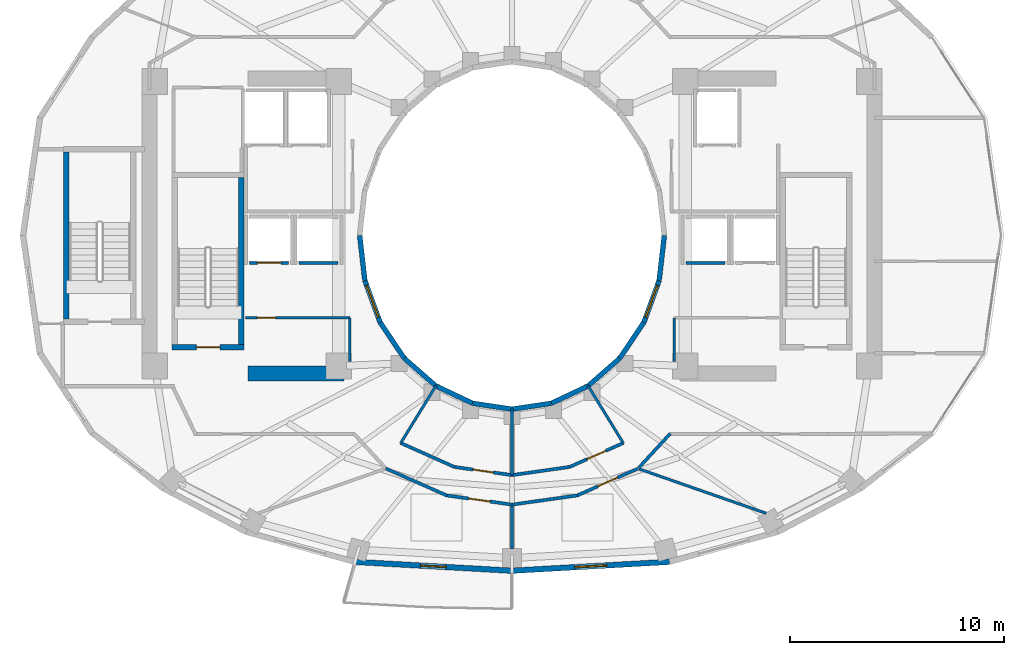
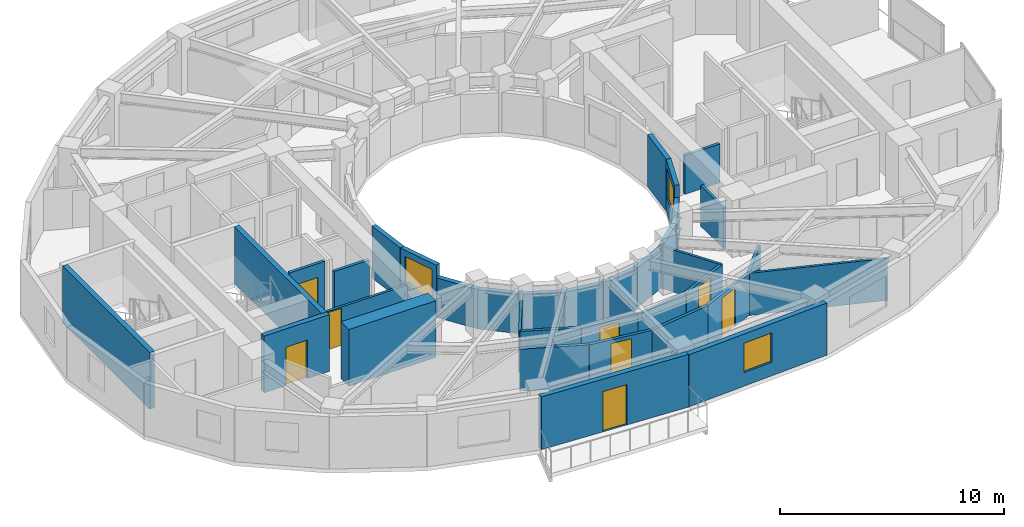
# One storey, part 6 of 13: 38 walls, 8 doors, 3 windows, 11 openings.
"""IFC4 building model written with IfcOpenShell, lengths in metres."""

from ifc_helpers import new_model, si_unit, direction, frame, frame_2d, origin, place, context, subcontext, project, spatial, rectangle, extrude, material, layer, layer_set, type_object, element, fill, save


model = new_model("IFC4")

# Units and contexts
model_context = context("Model", 3, precision=1e-05, world=origin(), true_north=direction((0.0, 1.0)))
body_context = subcontext(model_context, "Body", "Model", "MODEL_VIEW")
ifc_project = project(units=[si_unit("LENGTHUNIT", "METRE"), si_unit("AREAUNIT", "SQUARE_METRE"), si_unit("VOLUMEUNIT", "CUBIC_METRE"), si_unit("PLANEANGLEUNIT", "RADIAN"), si_unit("MASSUNIT", "GRAM", prefix="KILO")], contexts=[model_context])

# Site, building, storey
site_placement = place(None, origin())
site = spatial("IfcSite", under=ifc_project, at=site_placement, CompositionType="ELEMENT")
building_placement = place(site_placement, origin())
building = spatial("IfcBuilding", under=site, at=building_placement, Name="Solvane Sanctuary Tower", CompositionType="ELEMENT")
storey_placement = place(building_placement, frame((0.0, 0.0, 156.0)))
storey = spatial("IfcBuildingStorey", under=building, at=storey_placement, Name="L47", CompositionType="ELEMENT", Elevation=156.0)

# Walls
ifc_material_1 = material(Name="Concrete C60/75", Category="concrete")
ifc_layer_1 = layer(ifc_material_1, 0.699951171875, Name="Concrete C60/75")
ifc_layer_set_1 = layer_set([ifc_layer_1], Name="Concrete C60/75")
wall_type_1 = type_object("IfcWallType", Name="Wall W-CORE-700", PredefinedType="SHEAR", material=ifc_layer_set_1)
wall_1_placement = place(storey_placement, frame((19.64990234375, 16.550048828125, 0.0), z_axis=(0.0, 0.0, 1.0), x_axis=(1.0, 0.0, 0.0)))
element("IfcWall", 1, at=wall_1_placement, inside=storey, type_object=wall_type_1, Name="L47 Core Shear Wall WC-S", PredefinedType="SHEAR", context=body_context, shape_type="SweptSolid", body=[
    extrude(rectangle(XDim=4.5, YDim=0.699951171875, at=frame_2d((2.25, 0.0))), origin(), (0.0, 0.0, 1.0), 3.10009765625),
])
ifc_material_2 = material(Name="Acoustic Gypsum Partition Board")
ifc_layer_2 = layer(ifc_material_2, 0.14990234375, Name="Acoustic Gypsum Partition Board")
ifc_layer_set_2 = layer_set([ifc_layer_2], Name="Acoustic Gypsum Partition Board")
wall_type_2 = type_object("IfcWallType", Name="Wall W-CORR-150", PredefinedType="PARTITIONING", material=ifc_layer_set_2)
wall_2_placement = place(storey_placement, frame((37.92822265625, 12.144287109375, 0.0), z_axis=(0.0, 0.0, 1.0), x_axis=(0.677579737957, 0.735449317567, 0.0)))
element("IfcWall", 2, at=wall_2_placement, inside=storey, type_object=wall_type_2, Name="L47 SE Corner Throat Wall", PredefinedType="PARTITIONING", context=body_context, shape_type="SweptSolid", body=[
    extrude(rectangle(XDim=2.172607421875, YDim=0.14990234375, at=frame_2d((1.08642578125, 0.0))), origin(), (0.0, 0.0, 1.0), 2.299072265625),
])
wall_3_placement = place(storey_placement, frame((26.792724609375, 13.302734375, 0.0), z_axis=(0.0, 0.0, 1.0), x_axis=(0.913145536541, -0.407633694749, 0.0)))
element("IfcWall", 3, at=wall_3_placement, inside=storey, type_object=wall_type_2, Name="L47 Inner Light-Well Corridor Wall S1", PredefinedType="PARTITIONING", context=body_context, shape_type="SweptSolid", body=[
    extrude(rectangle(XDim=2.75634765625, YDim=0.14990234375, at=frame_2d((1.378173828125, 0.0))), origin(), (0.0, 0.0, 1.0), 2.299072265625),
])

# Wall, opening, door
wall_4_placement = place(storey_placement, frame((29.305908203125, 12.18017578125, 0.0), z_axis=(0.0, 0.0, 1.0), x_axis=(0.990145400278, -0.140043158738, 0.0)))
wall_4 = element("IfcWall", 4, at=wall_4_placement, inside=storey, type_object=wall_type_2, Name="L47 Inner Light-Well Corridor Wall S1", PredefinedType="PARTITIONING", context=body_context, shape_type="SweptSolid", body=[
    extrude(rectangle(XDim=2.728271484375, YDim=0.14990234375, at=frame_2d((1.3642578125, 0.0))), origin(), (0.0, 0.0, 1.0), 2.299072265625),
])
opening_1_placement = place(wall_4_placement, frame((0.88916015625, 0.0, 0.0)))
opening_1 = element("IfcOpeningElement", 5, at=opening_1_placement, cuts=wall_4, Name="Opening D-L47-20", PredefinedType="OPENING", context=body_context, shape_type="SweptSolid", body=[
    extrude(rectangle(XDim=0.949951171875, YDim=2.10009765625, at=frame_2d((0.47509765625, 1.050048828125))), frame((0.0, 0.0849609375, 0.0), z_axis=(0.0, -1.0, 0.0), x_axis=(1.0, 0.0, 0.0)), (0.0, 0.0, 1.0), 0.169921875),
])
ifc_material_3 = material(Name="Engineered Tropical Hardwood", Category="wood")
door_type_1 = type_object("IfcDoorType", Name="Door D-ROOM-950", OperationType="NOTDEFINED", PredefinedType="DOOR", material=ifc_material_3)
door_1_placement = place(opening_1_placement, origin())
door_1 = element("IfcDoor", 6, at=door_1_placement, inside=storey, type_object=door_type_1, Name="L47 Inner Light-Well Salon Door S1", OperationType="SINGLE_SWING_RIGHT", OverallHeight=2.10009765625, OverallWidth=0.949951171875, PredefinedType="DOOR", context=body_context, shape_type="SweptSolid", body=[
    extrude(rectangle(XDim=0.949951171875, YDim=2.10009765625, at=frame_2d((0.47509765625, 1.050048828125))), frame((0.0, 0.02490234375, 0.0), z_axis=(0.0, -1.0, 0.0), x_axis=(1.0, 0.0, 0.0)), (0.0, 0.0, 1.0), 0.050048828125),
])
fill(opening_1, door_1)

# Wall
wall_5_placement = place(storey_placement, frame((31.99267578125, 11.798095703125, 0.0), z_axis=(0.0, 0.0, 1.0), x_axis=(0.990145400278, 0.140043158738, 0.0)))
element("IfcWall", 7, at=wall_5_placement, inside=storey, type_object=wall_type_2, Name="L47 Inner Light-Well Corridor Wall S2", PredefinedType="PARTITIONING", context=body_context, shape_type="SweptSolid", body=[
    extrude(rectangle(XDim=2.728271484375, YDim=0.14990234375, at=frame_2d((1.3642578125, 0.0))), origin(), (0.0, 0.0, 1.0), 2.299072265625),
])

# Wall, opening, door
wall_6_placement = place(storey_placement, frame((34.6904296875, 12.17919921875, 0.0), z_axis=(0.0, 0.0, 1.0), x_axis=(0.913145536541, 0.407633694749, 0.0)))
wall_6 = element("IfcWall", 8, at=wall_6_placement, inside=storey, type_object=wall_type_2, Name="L47 Inner Light-Well Corridor Wall S2", PredefinedType="PARTITIONING", context=body_context, shape_type="SweptSolid", body=[
    extrude(rectangle(XDim=2.75634765625, YDim=0.14990234375, at=frame_2d((1.378173828125, 0.0))), origin(), (0.0, 0.0, 1.0), 2.299072265625),
])
opening_2_placement = place(wall_6_placement, frame((0.903076171875, 0.0, 0.0)))
opening_2 = element("IfcOpeningElement", 9, at=opening_2_placement, cuts=wall_6, Name="Opening D-L47-21", PredefinedType="OPENING", context=body_context, shape_type="SweptSolid", body=[
    extrude(rectangle(XDim=0.949951171875, YDim=2.10009765625, at=frame_2d((0.47509765625, 1.050048828125))), frame((0.0, 0.0849609375, 0.0), z_axis=(0.0, -1.0, 0.0), x_axis=(1.0, 0.0, 0.0)), (0.0, 0.0, 1.0), 0.169921875),
])
door_2_placement = place(opening_2_placement, origin())
door_2 = element("IfcDoor", 10, at=door_2_placement, inside=storey, type_object=door_type_1, Name="L47 Inner Light-Well Salon Door S2", OperationType="SINGLE_SWING_LEFT", OverallHeight=2.10009765625, OverallWidth=0.949951171875, PredefinedType="DOOR", context=body_context, shape_type="SweptSolid", body=[
    extrude(rectangle(XDim=0.949951171875, YDim=2.10009765625, at=frame_2d((0.47509765625, 1.050048828125))), frame((0.0, 0.02490234375, 0.0), z_axis=(0.0, -1.0, 0.0), x_axis=(1.0, 0.0, 0.0)), (0.0, 0.0, 1.0), 0.050048828125),
])
fill(opening_2, door_2)

# Wall
wall_7_placement = place(storey_placement, frame((26.101806640625, 12.108154296875, 0.0), z_axis=(0.0, 0.0, 1.0), x_axis=(0.914519212393, -0.40454247016, 0.0)))
element("IfcWall", 11, at=wall_7_placement, inside=storey, type_object=wall_type_2, Name="L47 Unit Corridor Wall S1", PredefinedType="PARTITIONING", context=body_context, shape_type="SweptSolid", body=[
    extrude(rectangle(XDim=3.123779296875, YDim=0.14990234375, at=frame_2d((1.56201171875, 0.0))), origin(), (0.0, 0.0, 1.0), 2.299072265625),
])

# Wall, opening, door
wall_8_placement = place(storey_placement, frame((28.942626953125, 10.84912109375, 0.0), z_axis=(0.0, 0.0, 1.0), x_axis=(0.990254709652, -0.13926812274, 0.0)))
wall_8 = element("IfcWall", 12, at=wall_8_placement, inside=storey, type_object=wall_type_2, Name="L47 Unit Corridor Wall S1", PredefinedType="PARTITIONING", context=body_context, shape_type="SweptSolid", body=[
    extrude(rectangle(XDim=3.095947265625, YDim=0.14990234375, at=frame_2d((1.5478515625, 0.0))), origin(), (0.0, 0.0, 1.0), 2.299072265625),
])
opening_3_placement = place(wall_8_placement, frame((1.0478515625, 0.0, 0.0)))
opening_3 = element("IfcOpeningElement", 13, at=opening_3_placement, cuts=wall_8, Name="Opening D-L47-27", PredefinedType="OPENING", context=body_context, shape_type="SweptSolid", body=[
    extrude(rectangle(XDim=1.0, YDim=2.10009765625, at=frame_2d((0.5, 1.050048828125))), frame((0.0, 0.0849609375, 0.0), z_axis=(0.0, -1.0, 0.0), x_axis=(1.0, 0.0, 0.0)), (0.0, 0.0, 1.0), 0.169921875),
])
door_type_2 = type_object("IfcDoorType", Name="Door D-UNIT", OperationType="NOTDEFINED", PredefinedType="DOOR", material=ifc_material_3)
door_3_placement = place(opening_3_placement, origin())
door_3 = element("IfcDoor", 14, at=door_3_placement, inside=storey, type_object=door_type_2, Name="L47 Unit Entrance Door S1", OperationType="SINGLE_SWING_LEFT", OverallHeight=2.10009765625, OverallWidth=1.0, PredefinedType="DOOR", context=body_context, shape_type="SweptSolid", body=[
    extrude(rectangle(XDim=1.0, YDim=2.10009765625, at=frame_2d((0.5, 1.050048828125))), frame((0.0, 0.02490234375, 0.0), z_axis=(0.0, -1.0, 0.0), x_axis=(1.0, 0.0, 0.0)), (0.0, 0.0, 1.0), 0.050048828125),
])
fill(opening_3, door_3)

# Wall
wall_9_placement = place(storey_placement, frame((31.99169921875, 10.41796875, 0.0), z_axis=(0.0, 0.0, 1.0), x_axis=(0.990254709652, 0.13926812274, 0.0)))
element("IfcWall", 15, at=wall_9_placement, inside=storey, type_object=wall_type_2, Name="L47 Unit Corridor Wall S2", PredefinedType="PARTITIONING", context=body_context, shape_type="SweptSolid", body=[
    extrude(rectangle(XDim=3.095947265625, YDim=0.14990234375, at=frame_2d((1.5478515625, 0.0))), origin(), (0.0, 0.0, 1.0), 2.299072265625),
])

# Wall, opening, door
wall_10_placement = place(storey_placement, frame((35.04150390625, 10.844482421875, 0.0), z_axis=(0.0, 0.0, 1.0), x_axis=(0.914519212393, 0.40454247016, 0.0)))
wall_10 = element("IfcWall", 16, at=wall_10_placement, inside=storey, type_object=wall_type_2, Name="L47 Unit Corridor Wall S2", PredefinedType="PARTITIONING", context=body_context, shape_type="SweptSolid", body=[
    extrude(rectangle(XDim=3.123779296875, YDim=0.14990234375, at=frame_2d((1.56201171875, 0.0))), origin(), (0.0, 0.0, 1.0), 2.299072265625),
])
opening_4_placement = place(wall_10_placement, frame((1.061767578125, 0.0, 0.0)))
opening_4 = element("IfcOpeningElement", 17, at=opening_4_placement, cuts=wall_10, Name="Opening D-L47-28", PredefinedType="OPENING", context=body_context, shape_type="SweptSolid", body=[
    extrude(rectangle(XDim=1.0, YDim=2.10009765625, at=frame_2d((0.5, 1.050048828125))), frame((0.0, 0.0849609375, 0.0), z_axis=(0.0, -1.0, 0.0), x_axis=(1.0, 0.0, 0.0)), (0.0, 0.0, 1.0), 0.169921875),
])
door_4_placement = place(opening_4_placement, origin())
door_4 = element("IfcDoor", 18, at=door_4_placement, inside=storey, type_object=door_type_2, Name="L47 Unit Entrance Door S2", OperationType="SINGLE_SWING_RIGHT", OverallHeight=2.10009765625, OverallWidth=1.0, PredefinedType="DOOR", context=body_context, shape_type="SweptSolid", body=[
    extrude(rectangle(XDim=1.0, YDim=2.10009765625, at=frame_2d((0.5, 1.050048828125))), frame((0.0, 0.02490234375, 0.0), z_axis=(0.0, -1.0, 0.0), x_axis=(1.0, 0.0, 0.0)), (0.0, 0.0, 1.0), 0.050048828125),
])
fill(opening_4, door_4)

ifc_material_4 = material(Name="Precast concrete C40/50", Category="concrete")
ifc_layer_3 = layer(ifc_material_4, 0.260009765625, Name="Precast concrete C40/50")
ifc_layer_set_3 = layer_set([ifc_layer_3], Name="Precast concrete C40/50")
wall_type_3 = type_object("IfcWallType", Name="Wall W-EXT-250", PredefinedType="STANDARD", material=ifc_layer_set_3)
wall_11_placement = place(storey_placement, frame((24.634765625, 7.743408203125, 0.0), z_axis=(0.0, 0.0, 1.0), x_axis=(0.998417906562, -0.056228852534, 0.0)))
wall_11 = element("IfcWall", 19, at=wall_11_placement, inside=storey, type_object=wall_type_3, Name="L47 Balcony Facade Wall SC", PredefinedType="STANDARD", context=body_context, shape_type="SweptSolid", body=[
    extrude(rectangle(XDim=7.376953125, YDim=0.260009765625, at=frame_2d((3.6884765625, 0.0))), origin(), (0.0, 0.0, 1.0), 2.8798828125),
])
opening_5_placement = place(wall_11_placement, frame((3.08837890625, 0.0, 0.0)))
opening_5 = element("IfcOpeningElement", 20, at=opening_5_placement, cuts=wall_11, Name="Opening D-L47-02", PredefinedType="OPENING", context=body_context, shape_type="SweptSolid", body=[
    extrude(rectangle(XDim=1.199951171875, YDim=2.199951171875, at=frame_2d((0.60009765625, 1.10009765625))), frame((0.0, 0.139892578125, 0.0), z_axis=(0.0, -1.0, 0.0), x_axis=(1.0, 0.0, 0.0)), (0.0, 0.0, 1.0), 0.280029296875),
])
ifc_material_5 = material(Name="Anodised Aluminium 6063-T6", Category="aluminium")
door_type_3 = type_object("IfcDoorType", Name="Door D-BALC-1200", OperationType="NOTDEFINED", PredefinedType="DOOR", material=ifc_material_5)
door_5_placement = place(opening_5_placement, origin())
door_5 = element("IfcDoor", 21, at=door_5_placement, inside=storey, type_object=door_type_3, Name="L47 Glazed Balcony Door SC", OperationType="SINGLE_SWING_LEFT", OverallHeight=2.199951171875, OverallWidth=1.199951171875, PredefinedType="DOOR", context=body_context, shape_type="SweptSolid", body=[
    extrude(rectangle(XDim=1.199951171875, YDim=2.199951171875, at=frame_2d((0.60009765625, 1.10009765625))), frame((0.0, 0.02490234375, 0.0), z_axis=(0.0, -1.0, 0.0), x_axis=(1.0, 0.0, 0.0)), (0.0, 0.0, 1.0), 0.050048828125),
])
fill(opening_5, door_5)

# Wall, opening, window
wall_12_placement = place(storey_placement, frame((32.0, 7.32861328125, 0.0), z_axis=(0.0, 0.0, 1.0), x_axis=(0.998417906562, 0.056228852534, 0.0)))
wall_12 = element("IfcWall", 22, at=wall_12_placement, inside=storey, type_object=wall_type_3, Name="L47 Ceramic-Printed Facade Wall 18", PredefinedType="STANDARD", context=body_context, shape_type="SweptSolid", body=[
    extrude(rectangle(XDim=7.376953125, YDim=0.260009765625, at=frame_2d((3.6884765625, 0.0))), origin(), (0.0, 0.0, 1.0), 2.85009765625),
])
opening_6_placement = place(wall_12_placement, frame((2.9384765625, 0.0, 0.75)))
opening_6 = element("IfcOpeningElement", 23, at=opening_6_placement, cuts=wall_12, Name="Opening WN-OPER-1500", PredefinedType="OPENING", context=body_context, shape_type="SweptSolid", body=[
    extrude(rectangle(XDim=1.5, YDim=1.60009765625, at=frame_2d((0.75, 0.800048828125))), frame((0.0, 0.139892578125, 0.0), z_axis=(0.0, -1.0, 0.0), x_axis=(1.0, 0.0, 0.0)), (0.0, 0.0, 1.0), 0.280029296875),
])
ifc_material_6 = material(Name="Dark Ceramic-Fritted Low-E Glass", Category="glass")
window_type_1 = type_object("IfcWindowType", Name="Window WN-OPER-1500", PartitioningType="SINGLE_PANEL", PredefinedType="WINDOW", material=ifc_material_6)
window_1_placement = place(opening_6_placement, origin())
window_1 = element("IfcWindow", 24, at=window_1_placement, inside=storey, type_object=window_type_1, Name="L47 Operable Facade Window 18", OverallHeight=1.60009765625, OverallWidth=1.5, PartitioningType="SINGLE_PANEL", PredefinedType="WINDOW", context=body_context, shape_type="SweptSolid", body=[
    extrude(rectangle(XDim=1.5, YDim=1.60009765625, at=frame_2d((0.75, 0.800048828125))), frame((0.0, 0.030029296875, 0.0), z_axis=(0.0, -1.0, 0.0), x_axis=(1.0, 0.0, 0.0)), (0.0, 0.0, 1.0), 0.06005859375),
])
fill(opening_6, window_1)

# Wall
ifc_layer_4 = layer(ifc_material_4, 0.22998046875, Name="Precast concrete C40/50")
ifc_layer_set_4 = layer_set([ifc_layer_4], Name="Precast concrete C40/50")
wall_type_4 = type_object("IfcWallType", Name="Wall W-EXT-SP220", PredefinedType="STANDARD", material=ifc_layer_set_4)
wall_13_placement = place(storey_placement, frame((24.8798828125, 23.0, 0.0), z_axis=(0.0, 0.0, 1.0), x_axis=(0.114711713601, -0.993398823617, 0.0)))
element("IfcWall", 25, at=wall_13_placement, inside=storey, type_object=wall_type_4, Name="L47 Central Light-Well Wall 12", PredefinedType="STANDARD", context=body_context, shape_type="SweptSolid", body=[
    extrude(rectangle(XDim=2.115478515625, YDim=0.22998046875, at=frame_2d((1.0576171875, 0.0))), origin(), (0.0, 0.0, 1.0), 2.840087890625),
])

# Wall, opening, window
wall_14_placement = place(storey_placement, frame((25.12255859375, 20.8984375, 0.0), z_axis=(0.0, 0.0, 1.0), x_axis=(0.341423187295, -0.93990968033, 0.0)))
wall_14 = element("IfcWall", 26, at=wall_14_placement, inside=storey, type_object=wall_type_4, Name="L47 Central Light-Well Wall 13", PredefinedType="STANDARD", context=body_context, shape_type="SweptSolid", body=[
    extrude(rectangle(XDim=2.083740234375, YDim=0.22998046875, at=frame_2d((1.0419921875, 0.0))), origin(), (0.0, 0.0, 1.0), 2.840087890625),
])
opening_7_placement = place(wall_14_placement, frame((0.24169921875, 0.0, 0.85009765625)))
opening_7 = element("IfcOpeningElement", 27, at=opening_7_placement, cuts=wall_14, Name="Opening WN-WELL-1600", PredefinedType="OPENING", context=body_context, shape_type="SweptSolid", body=[
    extrude(rectangle(XDim=1.60009765625, YDim=1.64990234375, at=frame_2d((0.800048828125, 0.824951171875))), frame((0.0, 0.125, 0.0), z_axis=(0.0, -1.0, 0.0), x_axis=(1.0, 0.0, 0.0)), (0.0, 0.0, 1.0), 0.25),
])
ifc_material_7 = material(Name="Clear Laminated Light-Well Glass", Category="glass")
window_type_2 = type_object("IfcWindowType", Name="Window WN-WELL-1600", PartitioningType="SINGLE_PANEL", PredefinedType="WINDOW", material=ifc_material_7)
window_2_placement = place(opening_7_placement, origin())
window_2 = element("IfcWindow", 28, at=window_2_placement, inside=storey, type_object=window_type_2, Name="L47 Light-Well Daylight Window 13", OverallHeight=1.64990234375, OverallWidth=1.60009765625, PartitioningType="SINGLE_PANEL", PredefinedType="WINDOW", context=body_context, shape_type="SweptSolid", body=[
    extrude(rectangle(XDim=1.60009765625, YDim=1.64990234375, at=frame_2d((0.800048828125, 0.824951171875))), frame((0.0, 0.030029296875, 0.0), z_axis=(0.0, -1.0, 0.0), x_axis=(1.0, 0.0, 0.0)), (0.0, 0.0, 1.0), 0.06005859375),
])
fill(opening_7, window_2)

# Walls
wall_15_placement = place(storey_placement, frame((25.833984375, 18.93994140625, 0.0), z_axis=(0.0, 0.0, 1.0), x_axis=(0.558197800898, -0.829707909492, 0.0)))
element("IfcWall", 29, at=wall_15_placement, inside=storey, type_object=wall_type_4, Name="L47 Central Light-Well Wall 14", PredefinedType="STANDARD", context=body_context, shape_type="SweptSolid", body=[
    extrude(rectangle(XDim=2.02685546875, YDim=0.22998046875, at=frame_2d((1.013427734375, 0.0))), origin(), (0.0, 0.0, 1.0), 2.159912109375),
])
wall_16_placement = place(storey_placement, frame((26.96533203125, 17.25830078125, 0.0), z_axis=(0.0, 0.0, 1.0), x_axis=(0.752576694707, -0.658504607869, 0.0)))
element("IfcWall", 30, at=wall_16_placement, inside=storey, type_object=wall_type_4, Name="L47 Central Light-Well Wall 15", PredefinedType="STANDARD", context=body_context, shape_type="SweptSolid", body=[
    extrude(rectangle(XDim=1.95947265625, YDim=0.22998046875, at=frame_2d((0.979736328125, 0.0))), origin(), (0.0, 0.0, 1.0), 2.159912109375),
])
wall_17_placement = place(storey_placement, frame((28.43994140625, 15.968017578125, 0.0), z_axis=(0.0, 0.0, 1.0), x_axis=(0.904179699603, -0.427152280606, 0.0)))
element("IfcWall", 31, at=wall_17_placement, inside=storey, type_object=wall_type_4, Name="L47 Central Light-Well Wall 16", PredefinedType="STANDARD", context=body_context, shape_type="SweptSolid", body=[
    extrude(rectangle(XDim=1.899169921875, YDim=0.22998046875, at=frame_2d((0.94970703125, 0.0))), origin(), (0.0, 0.0, 1.0), 2.159912109375),
])
for number, where, z_axis, x_axis, name in (
    (32, (30.1572265625, 15.15673828125, 0.0), (0.0, 0.0, 1.0), (0.988901730308, -0.148571086668, 0.0), "L47 Central Light-Well Wall 17"),
    (33, (32.0, 14.8798828125, 0.0), (0.0, 0.0, 1.0), (0.988901730308, 0.148571086668, 0.0), "L47 Central Light-Well Wall 18"),
):
    element("IfcWall", number, at=place(storey_placement, frame(where, z_axis=z_axis, x_axis=x_axis)), inside=storey, type_object=wall_type_4, Name=name, PredefinedType="STANDARD", context=body_context, shape_type="SweptSolid", body=[
        extrude(rectangle(XDim=1.863525390625, YDim=0.22998046875, at=frame_2d((0.931640625, 0.0))), origin(), (0.0, 0.0, 1.0), 2.159912109375),
    ])
wall_18_placement = place(storey_placement, frame((33.8427734375, 15.15673828125, 0.0), z_axis=(0.0, 0.0, 1.0), x_axis=(0.904179699603, 0.427152280606, 0.0)))
element("IfcWall", 34, at=wall_18_placement, inside=storey, type_object=wall_type_4, Name="L47 Central Light-Well Wall 19", PredefinedType="STANDARD", context=body_context, shape_type="SweptSolid", body=[
    extrude(rectangle(XDim=1.899169921875, YDim=0.22998046875, at=frame_2d((0.94970703125, 0.0))), origin(), (0.0, 0.0, 1.0), 2.159912109375),
])
wall_19_placement = place(storey_placement, frame((35.56005859375, 15.968017578125, 0.0), z_axis=(0.0, 0.0, 1.0), x_axis=(0.752576694707, 0.658504607869, 0.0)))
element("IfcWall", 35, at=wall_19_placement, inside=storey, type_object=wall_type_4, Name="L47 Central Light-Well Wall 20", PredefinedType="STANDARD", context=body_context, shape_type="SweptSolid", body=[
    extrude(rectangle(XDim=1.95947265625, YDim=0.22998046875, at=frame_2d((0.979736328125, 0.0))), origin(), (0.0, 0.0, 1.0), 2.159912109375),
])
wall_20_placement = place(storey_placement, frame((37.03466796875, 17.25830078125, 0.0), z_axis=(0.0, 0.0, 1.0), x_axis=(0.558197800898, 0.829707909492, 0.0)))
element("IfcWall", 36, at=wall_20_placement, inside=storey, type_object=wall_type_4, Name="L47 Central Light-Well Wall 21", PredefinedType="STANDARD", context=body_context, shape_type="SweptSolid", body=[
    extrude(rectangle(XDim=2.02685546875, YDim=0.22998046875, at=frame_2d((1.013427734375, 0.0))), origin(), (0.0, 0.0, 1.0), 2.159912109375),
])

# Wall, opening, window
wall_21_placement = place(storey_placement, frame((38.166015625, 18.93994140625, 0.0), z_axis=(0.0, 0.0, 1.0), x_axis=(0.341423187295, 0.93990968033, 0.0)))
wall_21 = element("IfcWall", 37, at=wall_21_placement, inside=storey, type_object=wall_type_4, Name="L47 Central Light-Well Wall 22", PredefinedType="STANDARD", context=body_context, shape_type="SweptSolid", body=[
    extrude(rectangle(XDim=2.083740234375, YDim=0.22998046875, at=frame_2d((1.0419921875, 0.0))), origin(), (0.0, 0.0, 1.0), 2.840087890625),
])
opening_8_placement = place(wall_21_placement, frame((0.24169921875, 0.0, 0.85009765625)))
opening_8 = element("IfcOpeningElement", 38, at=opening_8_placement, cuts=wall_21, Name="Opening WN-WELL-1600", PredefinedType="OPENING", context=body_context, shape_type="SweptSolid", body=[
    extrude(rectangle(XDim=1.60009765625, YDim=1.64990234375, at=frame_2d((0.800048828125, 0.824951171875))), frame((0.0, 0.125, 0.0), z_axis=(0.0, -1.0, 0.0), x_axis=(1.0, 0.0, 0.0)), (0.0, 0.0, 1.0), 0.25),
])
window_3_placement = place(opening_8_placement, origin())
window_3 = element("IfcWindow", 39, at=window_3_placement, inside=storey, type_object=window_type_2, Name="L47 Light-Well Daylight Window 22", OverallHeight=1.64990234375, OverallWidth=1.60009765625, PartitioningType="SINGLE_PANEL", PredefinedType="WINDOW", context=body_context, shape_type="SweptSolid", body=[
    extrude(rectangle(XDim=1.60009765625, YDim=1.64990234375, at=frame_2d((0.800048828125, 0.824951171875))), frame((0.0, 0.030029296875, 0.0), z_axis=(0.0, -1.0, 0.0), x_axis=(1.0, 0.0, 0.0)), (0.0, 0.0, 1.0), 0.06005859375),
])
fill(opening_8, window_3)

# Wall
wall_22_placement = place(storey_placement, frame((38.87744140625, 20.8984375, 0.0), z_axis=(0.0, 0.0, 1.0), x_axis=(0.114711713601, 0.993398823617, 0.0)))
element("IfcWall", 40, at=wall_22_placement, inside=storey, type_object=wall_type_4, Name="L47 Central Light-Well Wall 23", PredefinedType="STANDARD", context=body_context, shape_type="SweptSolid", body=[
    extrude(rectangle(XDim=2.115478515625, YDim=0.22998046875, at=frame_2d((1.0576171875, 0.0))), origin(), (0.0, 0.0, 1.0), 2.840087890625),
])

# Wall, opening, door
ifc_layer_5 = layer(ifc_material_2, 0.125, Name="Acoustic Gypsum Partition Board")
ifc_layer_set_5 = layer_set([ifc_layer_5], Name="Acoustic Gypsum Partition Board")
wall_type_5 = type_object("IfcWallType", Name="Wall W-PART-125", PredefinedType="PARTITIONING", material=ifc_layer_set_5)
wall_23_placement = place(storey_placement, frame((19.550048828125, 19.159912109375, 0.0), z_axis=(0.0, 0.0, 1.0), x_axis=(1.0, 0.0, 0.0)))
wall_23 = element("IfcWall", 41, at=wall_23_placement, inside=storey, type_object=wall_type_5, Name="L47 Reclaimed Room Partition PLW", PredefinedType="PARTITIONING", context=body_context, shape_type="SweptSolid", body=[
    extrude(rectangle(XDim=4.869873046875, YDim=0.125, at=frame_2d((2.43505859375, 0.0))), origin(), (0.0, 0.0, 1.0), 2.1201171875),
])
opening_9_placement = place(wall_23_placement, frame((0.550048828125, 0.0, 0.0)))
opening_9 = element("IfcOpeningElement", 42, at=opening_9_placement, cuts=wall_23, Name="Opening D-L47-08", PredefinedType="OPENING", context=body_context, shape_type="SweptSolid", body=[
    extrude(rectangle(XDim=0.85009765625, YDim=2.050048828125, at=frame_2d((0.425048828125, 1.02490234375))), frame((0.0, 0.072509765625, 0.0), z_axis=(0.0, -1.0, 0.0), x_axis=(1.0, 0.0, 0.0)), (0.0, 0.0, 1.0), 0.14501953125),
])
ifc_material_8 = material(Name="Architectural Stainless Steel 316", Category="steel")
door_type_4 = type_object("IfcDoorType", Name="Door D-RISER", OperationType="NOTDEFINED", PredefinedType="DOOR", material=ifc_material_8)
door_6_placement = place(opening_9_placement, origin())
door_6 = element("IfcDoor", 43, at=door_6_placement, inside=storey, type_object=door_type_4, Name="L47 Reclaimed Room Door PLW-1", OperationType="SINGLE_SWING_RIGHT", OverallHeight=2.050048828125, OverallWidth=0.85009765625, PredefinedType="DOOR", context=body_context, shape_type="SweptSolid", body=[
    extrude(rectangle(XDim=0.85009765625, YDim=2.050048828125, at=frame_2d((0.425048828125, 1.02490234375))), frame((0.0, 0.02490234375, 0.0), z_axis=(0.0, -1.0, 0.0), x_axis=(1.0, 0.0, 0.0)), (0.0, 0.0, 1.0), 0.050048828125),
])
fill(opening_9, door_6)

# Walls
for number, where, z_axis, x_axis, name in (
    (44, (24.419921875, 17.10009765625, 0.0), (0.0, 0.0, 1.0), (0.0, 1.0, 0.0), "L47 Reclaimed Room Closer Wall PLW-1"),
    (45, (39.580078125, 17.10009765625, 0.0), (0.0, 0.0, 1.0), (0.0, 1.0, 0.0), "L47 Reclaimed Room Closer Wall PLE-1"),
):
    element("IfcWall", number, at=place(storey_placement, frame(where, z_axis=z_axis, x_axis=x_axis)), inside=storey, type_object=wall_type_5, Name=name, PredefinedType="PARTITIONING", context=body_context, shape_type="SweptSolid", body=[
        extrude(rectangle(XDim=2.039794921875, YDim=0.125, at=frame_2d((1.02001953125, 0.0))), origin(), (0.0, 0.0, 1.0), 2.23193359375),
    ])
wall_24_placement = place(storey_placement, frame((28.449951171875, 15.985107421875, 0.0), z_axis=(0.0, 0.0, 1.0), x_axis=(-0.523587550846, -0.851971875474, 0.0)))
element("IfcWall", 46, at=wall_24_placement, inside=storey, type_object=wall_type_5, Name="L47 Inner Light-Well Radial Wall 240", PredefinedType="PARTITIONING", context=body_context, shape_type="SweptSolid", body=[
    extrude(rectangle(XDim=3.153076171875, YDim=0.125, at=frame_2d((1.57666015625, 0.0))), origin(), (0.0, 0.0, 1.0), 2.299072265625),
])
wall_25_placement = place(storey_placement, frame((32.0, 14.89990234375, 0.0), z_axis=(0.0, 0.0, 1.0), x_axis=(0.0, -1.0, 0.0)))
element("IfcWall", 47, at=wall_25_placement, inside=storey, type_object=wall_type_5, Name="L47 Inner Light-Well Radial Wall 270", PredefinedType="PARTITIONING", context=body_context, shape_type="SweptSolid", body=[
    extrude(rectangle(XDim=3.101806640625, YDim=0.125, at=frame_2d((1.55078125, 0.0))), origin(), (0.0, 0.0, 1.0), 2.299072265625),
])
wall_26_placement = place(storey_placement, frame((35.550048828125, 15.985107421875, 0.0), z_axis=(0.0, 0.0, 1.0), x_axis=(0.523587550846, -0.851971875474, 0.0)))
element("IfcWall", 48, at=wall_26_placement, inside=storey, type_object=wall_type_5, Name="L47 Inner Light-Well Radial Wall 300", PredefinedType="PARTITIONING", context=body_context, shape_type="SweptSolid", body=[
    extrude(rectangle(XDim=3.153076171875, YDim=0.125, at=frame_2d((1.57666015625, 0.0))), origin(), (0.0, 0.0, 1.0), 2.299072265625),
])
wall_27_placement = place(storey_placement, frame((32.0, 10.363037109375, 0.0), z_axis=(0.0, 0.0, 1.0), x_axis=(0.0, -1.0, 0.0)))
element("IfcWall", 49, at=wall_27_placement, inside=storey, type_object=wall_type_5, Name="L47 Radial Compartment Wall 270", PredefinedType="PARTITIONING", context=body_context, shape_type="SweptSolid", body=[
    extrude(rectangle(XDim=2.012939453125, YDim=0.125, at=frame_2d((1.00634765625, 0.0))), origin(), (0.0, 0.0, 1.0), 2.299072265625),
])
wall_28_placement = place(storey_placement, frame((37.94287109375, 12.085693359375, 0.0), z_axis=(0.0, 0.0, 1.0), x_axis=(0.944182779284, -0.329422038278, 0.0)))
element("IfcWall", 50, at=wall_28_placement, inside=storey, type_object=wall_type_5, Name="L47 Radial Compartment Wall 300", PredefinedType="PARTITIONING", context=body_context, shape_type="SweptSolid", body=[
    extrude(rectangle(XDim=6.291259765625, YDim=0.125, at=frame_2d((3.1455078125, 0.0))), origin(), (0.0, 0.0, 1.0), 2.299072265625),
])

# Wall, opening, door
ifc_material_9 = material(Name="Concrete C50/60", Category="concrete")
ifc_layer_6 = layer(ifc_material_9, 0.14990234375, Name="Concrete C50/60")
ifc_layer_set_6 = layer_set([ifc_layer_6], Name="Concrete C50/60")
wall_type_6 = type_object("IfcWallType", Name="Wall W-SHAFT-150", PredefinedType="SOLIDWALL", material=ifc_layer_set_6)
wall_29_placement = place(storey_placement, frame((19.739990234375, 21.719970703125, 0.0), z_axis=(0.0, 0.0, 1.0), x_axis=(1.0, 0.0, 0.0)))
wall_29 = element("IfcWall", 51, at=wall_29_placement, inside=storey, type_object=wall_type_6, Name="L47 PM-1 Lift Shaft Wall F", PredefinedType="SOLIDWALL", context=body_context, shape_type="SweptSolid", body=[
    extrude(rectangle(XDim=1.820068359375, YDim=0.14990234375, at=frame_2d((0.91015625, 0.0))), origin(), (0.0, 0.0, 1.0), 2.85498046875),
])
opening_10_placement = place(wall_29_placement, frame((0.360107421875, 0.0, 0.0)))
opening_10 = element("IfcOpeningElement", 52, at=opening_10_placement, cuts=wall_29, Name="Opening LD-L47-01", PredefinedType="OPENING", context=body_context, shape_type="SweptSolid", body=[
    extrude(rectangle(XDim=1.10009765625, YDim=2.10009765625, at=frame_2d((0.550048828125, 1.050048828125))), frame((0.0, 0.0849609375, 0.0), z_axis=(0.0, -1.0, 0.0), x_axis=(1.0, 0.0, 0.0)), (0.0, 0.0, 1.0), 0.169921875),
])
door_type_5 = type_object("IfcDoorType", Name="Door LD-PASS-1100", OperationType="NOTDEFINED", PredefinedType="DOOR", material=ifc_material_8)
door_7_placement = place(opening_10_placement, origin())
door_7 = element("IfcDoor", 53, at=door_7_placement, inside=storey, type_object=door_type_5, Name="L47 PM-1 Lift Landing Door", OperationType="DOUBLE_DOOR_SLIDING", OverallHeight=2.10009765625, OverallWidth=1.10009765625, PredefinedType="DOOR", context=body_context, shape_type="SweptSolid", body=[
    extrude(rectangle(XDim=1.10009765625, YDim=2.10009765625, at=frame_2d((0.550048828125, 1.050048828125))), frame((0.0, 0.02490234375, 0.0), z_axis=(0.0, -1.0, 0.0), x_axis=(1.0, 0.0, 0.0)), (0.0, 0.0, 1.0), 0.050048828125),
])
fill(opening_10, door_7)

# Walls
for number, where, z_axis, x_axis, name in (
    (54, (22.0400390625, 21.719970703125, 0.0), (0.0, 0.0, 1.0), (1.0, 0.0, 0.0), "L47 PH-1 Lift Shaft Wall F"),
    (55, (40.139892578125, 21.719970703125, 0.0), (0.0, 0.0, 1.0), (1.0, 0.0, 0.0), "L47 PH-2 Lift Shaft Wall F"),
):
    element("IfcWall", number, at=place(storey_placement, frame(where, z_axis=z_axis, x_axis=x_axis)), inside=storey, type_object=wall_type_6, Name=name, PredefinedType="SOLIDWALL", context=body_context, shape_type="SweptSolid", body=[
        extrude(rectangle(XDim=1.820068359375, YDim=0.14990234375, at=frame_2d((0.91015625, 0.0))), origin(), (0.0, 0.0, 1.0), 2.1201171875),
    ])

# Wall, opening, door
ifc_layer_7 = layer(ifc_material_9, 0.25, Name="Concrete C50/60")
ifc_layer_set_7 = layer_set([ifc_layer_7], Name="Concrete C50/60")
wall_type_7 = type_object("IfcWallType", Name="Wall W-SHAFT-250", PredefinedType="SOLIDWALL", material=ifc_layer_set_7)
wall_30_placement = place(storey_placement, frame((16.10498046875, 17.77001953125, 0.0), z_axis=(0.0, 0.0, 1.0), x_axis=(1.0, 0.0, 0.0)))
wall_30 = element("IfcWall", 56, at=wall_30_placement, inside=storey, type_object=wall_type_7, Name="L47 ST-1 Load-Bearing Shaft Wall S", PredefinedType="SOLIDWALL", context=body_context, shape_type="SweptSolid", body=[
    extrude(rectangle(XDim=3.3701171875, YDim=0.25, at=frame_2d((1.68505859375, 0.0))), origin(), (0.0, 0.0, 1.0), 3.10009765625),
])
opening_11_placement = place(wall_30_placement, frame((1.135009765625, 0.0, 0.0)))
opening_11 = element("IfcOpeningElement", 57, at=opening_11_placement, cuts=wall_30, Name="Opening D-L47-03", PredefinedType="OPENING", context=body_context, shape_type="SweptSolid", body=[
    extrude(rectangle(XDim=1.10009765625, YDim=2.10009765625, at=frame_2d((0.550048828125, 1.050048828125))), frame((0.0, 0.135009765625, 0.0), z_axis=(0.0, -1.0, 0.0), x_axis=(1.0, 0.0, 0.0)), (0.0, 0.0, 1.0), 0.27001953125),
])
door_type_6 = type_object("IfcDoorType", Name="Door D-STAIR", OperationType="NOTDEFINED", PredefinedType="DOOR", material=ifc_material_8)
door_8_placement = place(opening_11_placement, origin())
door_8 = element("IfcDoor", 58, at=door_8_placement, inside=storey, type_object=door_type_6, Name="L47 ST-1 Exit Stair Fire Door", OperationType="SINGLE_SWING_LEFT", OverallHeight=2.10009765625, OverallWidth=1.10009765625, PredefinedType="DOOR", context=body_context, shape_type="SweptSolid", body=[
    extrude(rectangle(XDim=1.10009765625, YDim=2.10009765625, at=frame_2d((0.550048828125, 1.050048828125))), frame((0.0, 0.02490234375, 0.0), z_axis=(0.0, -1.0, 0.0), x_axis=(1.0, 0.0, 0.0)), (0.0, 0.0, 1.0), 0.050048828125),
])
fill(opening_11, door_8)

# Walls
for number, where, z_axis, x_axis, name in (
    (59, (19.35009765625, 17.89501953125, 0.0), (0.0, 0.0, 1.0), (0.0, 1.0, 0.0), "L47 ST-1 Load-Bearing Shaft Wall E"),
    (60, (11.169921875, 19.094970703125, 0.0), (0.0, 0.0, 1.0), (0.0, 1.0, 0.0), "L47 ST-3 Load-Bearing Shaft Wall W"),
):
    element("IfcWall", number, at=place(storey_placement, frame(where, z_axis=z_axis, x_axis=x_axis)), inside=storey, type_object=wall_type_7, Name=name, PredefinedType="SOLIDWALL", context=body_context, shape_type="SweptSolid", body=[
        extrude(rectangle(XDim=7.81005859375, YDim=0.25, at=frame_2d((3.905029296875, 0.0))), origin(), (0.0, 0.0, 1.0), 3.10009765625),
    ])

save(model, "model.ifc")
